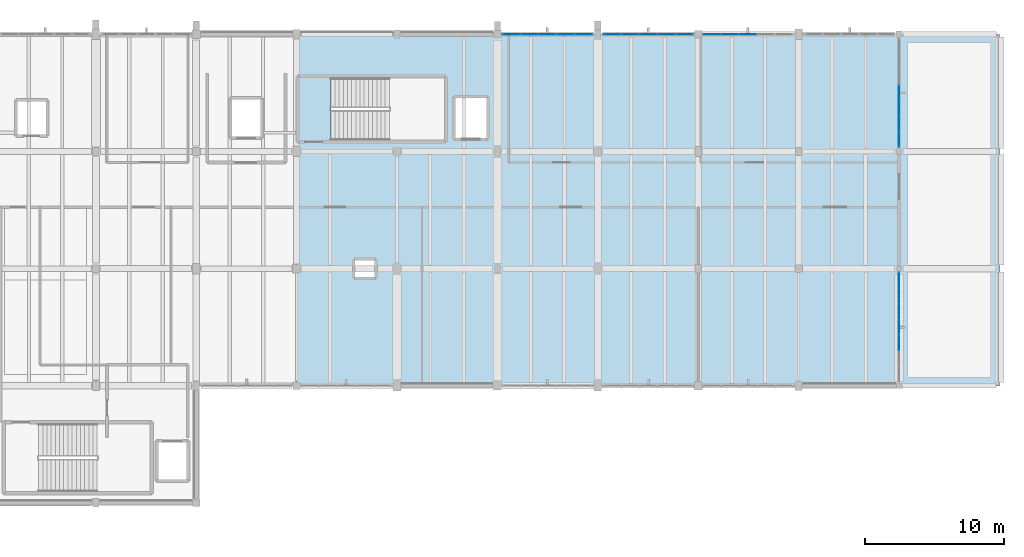
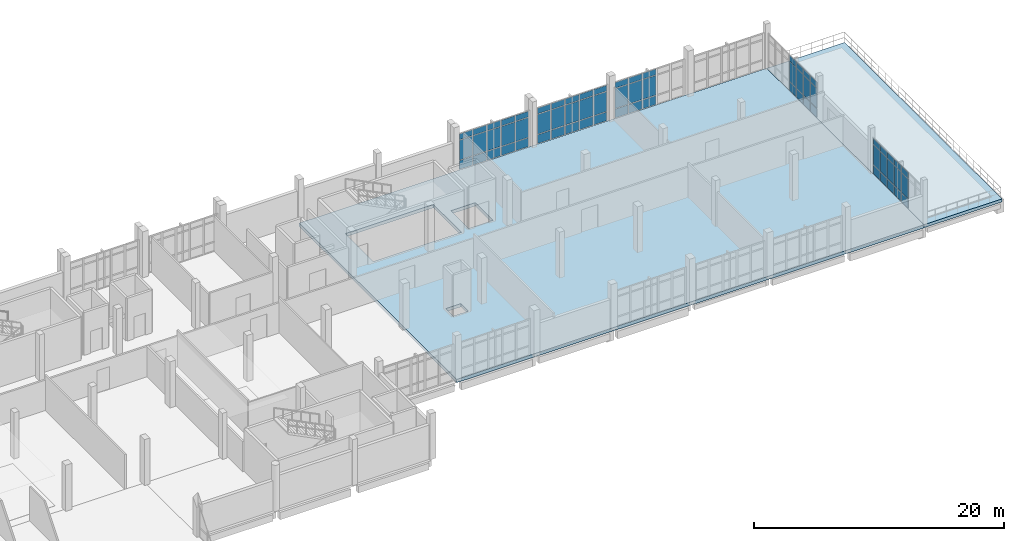
# One storey, part 50 of 62: 66 plates, 2 slabs, 5 elements without a shape of their own.
"""IFC4 building model written with IfcOpenShell, lengths in metres."""

from ifc_helpers import new_model, si_unit, direction, frame, origin, origin_2d, place, context, subcontext, project, spatial, polyline, rectangle, outline, extrude, material, layer, layer_set, type_object, element, aggregate, save


model = new_model("IFC4")

# Units and contexts
model_context = context("Model", 3, precision=1e-05, world=origin(), true_north=direction((0.0, 1.0)))
body_context = subcontext(model_context, "Body", "Model", "MODEL_VIEW")
ifc_project = project(units=[si_unit("LENGTHUNIT", "METRE"), si_unit("AREAUNIT", "SQUARE_METRE"), si_unit("VOLUMEUNIT", "CUBIC_METRE"), si_unit("PLANEANGLEUNIT", "RADIAN"), si_unit("MASSUNIT", "GRAM", prefix="KILO")], contexts=[model_context])

# Site, building, storey
site_placement = place(None, origin())
site = spatial("IfcSite", under=ifc_project, at=site_placement, CompositionType="ELEMENT")
building_placement = place(site_placement, origin())
building = spatial("IfcBuilding", under=site, at=building_placement, Name="Kalluvel Institute of Natural Sciences", CompositionType="ELEMENT")
storey_placement = place(building_placement, frame((0.0, 0.0, 27.89990234375)))
storey = spatial("IfcBuildingStorey", under=building, at=storey_placement, Name="L06", CompositionType="ELEMENT", Elevation=27.89990234375)

# Curtain wall, plates
ifc_material_1 = material(Name="Aluminium AW-6063 T6", Category="aluminium")
curtain_wall_type = type_object("IfcCurtainWallType", Name="CW-WET-45", PredefinedType="USERDEFINED", material=ifc_material_1)
curtain_wall_1_placement = place(storey_placement, origin())
curtain_wall_1 = element("IfcCurtainWall", 1, at=curtain_wall_1_placement, inside=storey, type_object=curtain_wall_type, Name="L06 Gothic lancet curtain wall CWA-L06-X791-Y1280", ObjectType="UNITISED LANCET FACADE", PredefinedType="USERDEFINED")
ifc_material_2 = material(Name="Solar-Control Low-E Laminated Glass", Category="glass")
ifc_layer_1 = layer(ifc_material_2, 0.028076171875)
ifc_layer_set_1 = layer_set([ifc_layer_1], Name="Solar-Control Low-E Laminated Glass")
plate_type = type_object("IfcPlateType", Name="CWP-DGU-28", PredefinedType="CURTAIN_PANEL", material=ifc_layer_set_1)
plate_1_placement = place(storey_placement, frame((79.79248046875, 128.0, 0.06005859375), z_axis=(0.0, 0.0, 1.0), x_axis=(1.0, 0.0, 0.0)))
plate_1 = element("IfcPlate", 2, at=plate_1_placement, type_object=plate_type, Name="CW-01 panel 1.1", PredefinedType="CURTAIN_PANEL", context=body_context, shape_type="SweptSolid", body=[
    extrude(rectangle(XDim=1.215087890625, YDim=0.028076171875, at=origin_2d()), origin(), (0.0, 0.0, 1.0), 0.860107421875),
])
plate_2_placement = place(storey_placement, frame((79.79248046875, 128.0, 0.980224609375), z_axis=(0.0, 0.0, 1.0), x_axis=(1.0, 0.0, 0.0)))
plate_2 = element("IfcPlate", 3, at=plate_2_placement, type_object=plate_type, Name="CW-01 panel 1.2", PredefinedType="CURTAIN_PANEL", context=body_context, shape_type="SweptSolid", body=[
    extrude(rectangle(XDim=1.215087890625, YDim=0.028076171875, at=origin_2d()), origin(), (0.0, 0.0, 1.0), 1.919921875),
])
plate_3_placement = place(storey_placement, frame((79.79248046875, 128.0, 2.9599609375), z_axis=(0.0, 0.0, 1.0), x_axis=(1.0, 0.0, 0.0)))
plate_3 = element("IfcPlate", 4, at=plate_3_placement, type_object=plate_type, Name="CW-01 panel 1.3", PredefinedType="CURTAIN_PANEL", context=body_context, shape_type="SweptSolid", body=[
    extrude(rectangle(XDim=1.215087890625, YDim=0.028076171875, at=origin_2d()), origin(), (0.0, 0.0, 1.0), 0.56005859375),
])
plate_4_placement = place(storey_placement, frame((81.08251953125, 128.0, 0.06005859375), z_axis=(0.0, 0.0, 1.0), x_axis=(1.0, 0.0, 0.0)))
plate_4 = element("IfcPlate", 5, at=plate_4_placement, type_object=plate_type, Name="CW-01 panel 2.1", PredefinedType="CURTAIN_PANEL", context=body_context, shape_type="SweptSolid", body=[
    extrude(rectangle(XDim=1.2451171875, YDim=0.028076171875, at=origin_2d()), origin(), (0.0, 0.0, 1.0), 0.860107421875),
])
plate_5_placement = place(storey_placement, frame((81.08251953125, 128.0, 0.980224609375), z_axis=(0.0, 0.0, 1.0), x_axis=(1.0, 0.0, 0.0)))
plate_5 = element("IfcPlate", 6, at=plate_5_placement, type_object=plate_type, Name="CW-01 panel 2.2", PredefinedType="CURTAIN_PANEL", context=body_context, shape_type="SweptSolid", body=[
    extrude(rectangle(XDim=1.2451171875, YDim=0.028076171875, at=origin_2d()), origin(), (0.0, 0.0, 1.0), 1.919921875),
])
plate_6_placement = place(storey_placement, frame((81.08251953125, 128.0, 2.9599609375), z_axis=(0.0, 0.0, 1.0), x_axis=(1.0, 0.0, 0.0)))
plate_6 = element("IfcPlate", 7, at=plate_6_placement, type_object=plate_type, Name="CW-01 panel 2.3", PredefinedType="CURTAIN_PANEL", context=body_context, shape_type="SweptSolid", body=[
    extrude(rectangle(XDim=1.2451171875, YDim=0.028076171875, at=origin_2d()), origin(), (0.0, 0.0, 1.0), 0.56005859375),
])
plate_7_placement = place(storey_placement, frame((82.387451171875, 128.0, 0.06005859375), z_axis=(0.0, 0.0, 1.0), x_axis=(1.0, 0.0, 0.0)))
plate_7 = element("IfcPlate", 8, at=plate_7_placement, type_object=plate_type, Name="CW-01 panel 3.1", PredefinedType="CURTAIN_PANEL", context=body_context, shape_type="SweptSolid", body=[
    extrude(rectangle(XDim=1.2451171875, YDim=0.028076171875, at=origin_2d()), origin(), (0.0, 0.0, 1.0), 0.860107421875),
])
plate_8_placement = place(storey_placement, frame((82.387451171875, 128.0, 0.980224609375), z_axis=(0.0, 0.0, 1.0), x_axis=(1.0, 0.0, 0.0)))
plate_8 = element("IfcPlate", 9, at=plate_8_placement, type_object=plate_type, Name="CW-01 panel 3.2", PredefinedType="CURTAIN_PANEL", context=body_context, shape_type="SweptSolid", body=[
    extrude(rectangle(XDim=1.2451171875, YDim=0.028076171875, at=origin_2d()), origin(), (0.0, 0.0, 1.0), 1.919921875),
])
plate_9_placement = place(storey_placement, frame((82.387451171875, 128.0, 2.9599609375), z_axis=(0.0, 0.0, 1.0), x_axis=(1.0, 0.0, 0.0)))
plate_9 = element("IfcPlate", 10, at=plate_9_placement, type_object=plate_type, Name="CW-01 panel 3.3", PredefinedType="CURTAIN_PANEL", context=body_context, shape_type="SweptSolid", body=[
    extrude(rectangle(XDim=1.2451171875, YDim=0.028076171875, at=origin_2d()), origin(), (0.0, 0.0, 1.0), 0.56005859375),
])
plate_10_placement = place(storey_placement, frame((83.6923828125, 128.0, 0.06005859375), z_axis=(0.0, 0.0, 1.0), x_axis=(1.0, 0.0, 0.0)))
plate_10 = element("IfcPlate", 11, at=plate_10_placement, type_object=plate_type, Name="CW-01 panel 4.1", PredefinedType="CURTAIN_PANEL", context=body_context, shape_type="SweptSolid", body=[
    extrude(rectangle(XDim=1.2451171875, YDim=0.028076171875, at=origin_2d()), origin(), (0.0, 0.0, 1.0), 0.860107421875),
])
plate_11_placement = place(storey_placement, frame((83.6923828125, 128.0, 0.980224609375), z_axis=(0.0, 0.0, 1.0), x_axis=(1.0, 0.0, 0.0)))
plate_11 = element("IfcPlate", 12, at=plate_11_placement, type_object=plate_type, Name="CW-01 panel 4.2", PredefinedType="CURTAIN_PANEL", context=body_context, shape_type="SweptSolid", body=[
    extrude(rectangle(XDim=1.2451171875, YDim=0.028076171875, at=origin_2d()), origin(), (0.0, 0.0, 1.0), 1.919921875),
])
plate_12_placement = place(storey_placement, frame((83.6923828125, 128.0, 2.9599609375), z_axis=(0.0, 0.0, 1.0), x_axis=(1.0, 0.0, 0.0)))
plate_12 = element("IfcPlate", 13, at=plate_12_placement, type_object=plate_type, Name="CW-01 panel 4.3", PredefinedType="CURTAIN_PANEL", context=body_context, shape_type="SweptSolid", body=[
    extrude(rectangle(XDim=1.2451171875, YDim=0.028076171875, at=origin_2d()), origin(), (0.0, 0.0, 1.0), 0.56005859375),
])
plate_13_placement = place(storey_placement, frame((84.982421875, 128.0, 0.06005859375), z_axis=(0.0, 0.0, 1.0), x_axis=(1.0, 0.0, 0.0)))
plate_13 = element("IfcPlate", 14, at=plate_13_placement, type_object=plate_type, Name="CW-01 panel 5.1", PredefinedType="CURTAIN_PANEL", context=body_context, shape_type="SweptSolid", body=[
    extrude(rectangle(XDim=1.215087890625, YDim=0.028076171875, at=origin_2d()), origin(), (0.0, 0.0, 1.0), 0.860107421875),
])
plate_14_placement = place(storey_placement, frame((84.982421875, 128.0, 0.980224609375), z_axis=(0.0, 0.0, 1.0), x_axis=(1.0, 0.0, 0.0)))
plate_14 = element("IfcPlate", 15, at=plate_14_placement, type_object=plate_type, Name="CW-01 panel 5.2", PredefinedType="CURTAIN_PANEL", context=body_context, shape_type="SweptSolid", body=[
    extrude(rectangle(XDim=1.215087890625, YDim=0.028076171875, at=origin_2d()), origin(), (0.0, 0.0, 1.0), 1.919921875),
])
plate_15_placement = place(storey_placement, frame((84.982421875, 128.0, 2.9599609375), z_axis=(0.0, 0.0, 1.0), x_axis=(1.0, 0.0, 0.0)))
plate_15 = element("IfcPlate", 16, at=plate_15_placement, type_object=plate_type, Name="CW-01 panel 5.3", PredefinedType="CURTAIN_PANEL", context=body_context, shape_type="SweptSolid", body=[
    extrude(rectangle(XDim=1.215087890625, YDim=0.028076171875, at=origin_2d()), origin(), (0.0, 0.0, 1.0), 0.56005859375),
])
aggregate(curtain_wall_1, [plate_1, plate_2, plate_3, plate_4, plate_5, plate_6, plate_7, plate_8, plate_9, plate_10, plate_11, plate_12, plate_13, plate_14, plate_15])

curtain_wall_2_placement = place(storey_placement, origin())
curtain_wall_2 = element("IfcCurtainWall", 17, at=curtain_wall_2_placement, inside=storey, type_object=curtain_wall_type, Name="L06 Gothic lancet curtain wall CWA-L06-X864-Y1280", ObjectType="UNITISED LANCET FACADE", PredefinedType="USERDEFINED")
plate_16_placement = place(storey_placement, frame((87.017578125, 128.0, 0.06005859375), z_axis=(0.0, 0.0, 1.0), x_axis=(1.0, 0.0, 0.0)))
plate_16 = element("IfcPlate", 18, at=plate_16_placement, type_object=plate_type, Name="CW-01 panel 1.1", PredefinedType="CURTAIN_PANEL", context=body_context, shape_type="SweptSolid", body=[
    extrude(rectangle(XDim=1.215087890625, YDim=0.028076171875, at=origin_2d()), origin(), (0.0, 0.0, 1.0), 0.860107421875),
])
plate_17_placement = place(storey_placement, frame((87.017578125, 128.0, 0.980224609375), z_axis=(0.0, 0.0, 1.0), x_axis=(1.0, 0.0, 0.0)))
plate_17 = element("IfcPlate", 19, at=plate_17_placement, type_object=plate_type, Name="CW-01 panel 1.2", PredefinedType="CURTAIN_PANEL", context=body_context, shape_type="SweptSolid", body=[
    extrude(rectangle(XDim=1.215087890625, YDim=0.028076171875, at=origin_2d()), origin(), (0.0, 0.0, 1.0), 1.919921875),
])
plate_18_placement = place(storey_placement, frame((87.017578125, 128.0, 2.9599609375), z_axis=(0.0, 0.0, 1.0), x_axis=(1.0, 0.0, 0.0)))
plate_18 = element("IfcPlate", 20, at=plate_18_placement, type_object=plate_type, Name="CW-01 panel 1.3", PredefinedType="CURTAIN_PANEL", context=body_context, shape_type="SweptSolid", body=[
    extrude(rectangle(XDim=1.215087890625, YDim=0.028076171875, at=origin_2d()), origin(), (0.0, 0.0, 1.0), 0.56005859375),
])
plate_19_placement = place(storey_placement, frame((88.3076171875, 128.0, 0.06005859375), z_axis=(0.0, 0.0, 1.0), x_axis=(1.0, 0.0, 0.0)))
plate_19 = element("IfcPlate", 21, at=plate_19_placement, type_object=plate_type, Name="CW-01 panel 2.1", PredefinedType="CURTAIN_PANEL", context=body_context, shape_type="SweptSolid", body=[
    extrude(rectangle(XDim=1.2451171875, YDim=0.028076171875, at=origin_2d()), origin(), (0.0, 0.0, 1.0), 0.860107421875),
])
plate_20_placement = place(storey_placement, frame((88.3076171875, 128.0, 0.980224609375), z_axis=(0.0, 0.0, 1.0), x_axis=(1.0, 0.0, 0.0)))
plate_20 = element("IfcPlate", 22, at=plate_20_placement, type_object=plate_type, Name="CW-01 panel 2.2", PredefinedType="CURTAIN_PANEL", context=body_context, shape_type="SweptSolid", body=[
    extrude(rectangle(XDim=1.2451171875, YDim=0.028076171875, at=origin_2d()), origin(), (0.0, 0.0, 1.0), 1.919921875),
])
plate_21_placement = place(storey_placement, frame((88.3076171875, 128.0, 2.9599609375), z_axis=(0.0, 0.0, 1.0), x_axis=(1.0, 0.0, 0.0)))
plate_21 = element("IfcPlate", 23, at=plate_21_placement, type_object=plate_type, Name="CW-01 panel 2.3", PredefinedType="CURTAIN_PANEL", context=body_context, shape_type="SweptSolid", body=[
    extrude(rectangle(XDim=1.2451171875, YDim=0.028076171875, at=origin_2d()), origin(), (0.0, 0.0, 1.0), 0.56005859375),
])
plate_22_placement = place(storey_placement, frame((89.612548828125, 128.0, 0.06005859375), z_axis=(0.0, 0.0, 1.0), x_axis=(1.0, 0.0, 0.0)))
plate_22 = element("IfcPlate", 24, at=plate_22_placement, type_object=plate_type, Name="CW-01 panel 3.1", PredefinedType="CURTAIN_PANEL", context=body_context, shape_type="SweptSolid", body=[
    extrude(rectangle(XDim=1.2451171875, YDim=0.028076171875, at=origin_2d()), origin(), (0.0, 0.0, 1.0), 0.860107421875),
])
plate_23_placement = place(storey_placement, frame((89.612548828125, 128.0, 0.980224609375), z_axis=(0.0, 0.0, 1.0), x_axis=(1.0, 0.0, 0.0)))
plate_23 = element("IfcPlate", 25, at=plate_23_placement, type_object=plate_type, Name="CW-01 panel 3.2", PredefinedType="CURTAIN_PANEL", context=body_context, shape_type="SweptSolid", body=[
    extrude(rectangle(XDim=1.2451171875, YDim=0.028076171875, at=origin_2d()), origin(), (0.0, 0.0, 1.0), 1.919921875),
])
plate_24_placement = place(storey_placement, frame((89.612548828125, 128.0, 2.9599609375), z_axis=(0.0, 0.0, 1.0), x_axis=(1.0, 0.0, 0.0)))
plate_24 = element("IfcPlate", 26, at=plate_24_placement, type_object=plate_type, Name="CW-01 panel 3.3", PredefinedType="CURTAIN_PANEL", context=body_context, shape_type="SweptSolid", body=[
    extrude(rectangle(XDim=1.2451171875, YDim=0.028076171875, at=origin_2d()), origin(), (0.0, 0.0, 1.0), 0.56005859375),
])
plate_25_placement = place(storey_placement, frame((90.91748046875, 128.0, 0.06005859375), z_axis=(0.0, 0.0, 1.0), x_axis=(1.0, 0.0, 0.0)))
plate_25 = element("IfcPlate", 27, at=plate_25_placement, type_object=plate_type, Name="CW-01 panel 4.1", PredefinedType="CURTAIN_PANEL", context=body_context, shape_type="SweptSolid", body=[
    extrude(rectangle(XDim=1.2451171875, YDim=0.028076171875, at=origin_2d()), origin(), (0.0, 0.0, 1.0), 0.860107421875),
])
plate_26_placement = place(storey_placement, frame((90.91748046875, 128.0, 0.980224609375), z_axis=(0.0, 0.0, 1.0), x_axis=(1.0, 0.0, 0.0)))
plate_26 = element("IfcPlate", 28, at=plate_26_placement, type_object=plate_type, Name="CW-01 panel 4.2", PredefinedType="CURTAIN_PANEL", context=body_context, shape_type="SweptSolid", body=[
    extrude(rectangle(XDim=1.2451171875, YDim=0.028076171875, at=origin_2d()), origin(), (0.0, 0.0, 1.0), 1.919921875),
])
plate_27_placement = place(storey_placement, frame((90.91748046875, 128.0, 2.9599609375), z_axis=(0.0, 0.0, 1.0), x_axis=(1.0, 0.0, 0.0)))
plate_27 = element("IfcPlate", 29, at=plate_27_placement, type_object=plate_type, Name="CW-01 panel 4.3", PredefinedType="CURTAIN_PANEL", context=body_context, shape_type="SweptSolid", body=[
    extrude(rectangle(XDim=1.2451171875, YDim=0.028076171875, at=origin_2d()), origin(), (0.0, 0.0, 1.0), 0.56005859375),
])
plate_28_placement = place(storey_placement, frame((92.20751953125, 128.0, 0.06005859375), z_axis=(0.0, 0.0, 1.0), x_axis=(1.0, 0.0, 0.0)))
plate_28 = element("IfcPlate", 30, at=plate_28_placement, type_object=plate_type, Name="CW-01 panel 5.1", PredefinedType="CURTAIN_PANEL", context=body_context, shape_type="SweptSolid", body=[
    extrude(rectangle(XDim=1.215087890625, YDim=0.028076171875, at=origin_2d()), origin(), (0.0, 0.0, 1.0), 0.860107421875),
])
plate_29_placement = place(storey_placement, frame((92.20751953125, 128.0, 0.980224609375), z_axis=(0.0, 0.0, 1.0), x_axis=(1.0, 0.0, 0.0)))
plate_29 = element("IfcPlate", 31, at=plate_29_placement, type_object=plate_type, Name="CW-01 panel 5.2", PredefinedType="CURTAIN_PANEL", context=body_context, shape_type="SweptSolid", body=[
    extrude(rectangle(XDim=1.215087890625, YDim=0.028076171875, at=origin_2d()), origin(), (0.0, 0.0, 1.0), 1.919921875),
])
plate_30_placement = place(storey_placement, frame((92.20751953125, 128.0, 2.9599609375), z_axis=(0.0, 0.0, 1.0), x_axis=(1.0, 0.0, 0.0)))
plate_30 = element("IfcPlate", 32, at=plate_30_placement, type_object=plate_type, Name="CW-01 panel 5.3", PredefinedType="CURTAIN_PANEL", context=body_context, shape_type="SweptSolid", body=[
    extrude(rectangle(XDim=1.215087890625, YDim=0.028076171875, at=origin_2d()), origin(), (0.0, 0.0, 1.0), 0.56005859375),
])
aggregate(curtain_wall_2, [plate_16, plate_17, plate_18, plate_19, plate_20, plate_21, plate_22, plate_23, plate_24, plate_25, plate_26, plate_27, plate_28, plate_29, plate_30])

curtain_wall_3_placement = place(storey_placement, origin())
curtain_wall_3 = element("IfcCurtainWall", 33, at=curtain_wall_3_placement, inside=storey, type_object=curtain_wall_type, Name="L06 Gothic lancet curtain wall CWA-L06-X935-Y1280", ObjectType="UNITISED LANCET FACADE", PredefinedType="USERDEFINED")
plate_31_placement = place(storey_placement, frame((94.18505859375, 128.0, 0.06005859375), z_axis=(0.0, 0.0, 1.0), x_axis=(1.0, 0.0, 0.0)))
plate_31 = element("IfcPlate", 34, at=plate_31_placement, type_object=plate_type, Name="CW-01 panel 1.1", PredefinedType="CURTAIN_PANEL", context=body_context, shape_type="SweptSolid", body=[
    extrude(rectangle(XDim=1.199951171875, YDim=0.028076171875, at=origin_2d()), origin(), (0.0, 0.0, 1.0), 0.860107421875),
])
plate_32_placement = place(storey_placement, frame((94.18505859375, 128.0, 0.980224609375), z_axis=(0.0, 0.0, 1.0), x_axis=(1.0, 0.0, 0.0)))
plate_32 = element("IfcPlate", 35, at=plate_32_placement, type_object=plate_type, Name="CW-01 panel 1.2", PredefinedType="CURTAIN_PANEL", context=body_context, shape_type="SweptSolid", body=[
    extrude(rectangle(XDim=1.199951171875, YDim=0.028076171875, at=origin_2d()), origin(), (0.0, 0.0, 1.0), 1.919921875),
])
plate_33_placement = place(storey_placement, frame((94.18505859375, 128.0, 2.9599609375), z_axis=(0.0, 0.0, 1.0), x_axis=(1.0, 0.0, 0.0)))
plate_33 = element("IfcPlate", 36, at=plate_33_placement, type_object=plate_type, Name="CW-01 panel 1.3", PredefinedType="CURTAIN_PANEL", context=body_context, shape_type="SweptSolid", body=[
    extrude(rectangle(XDim=1.199951171875, YDim=0.028076171875, at=origin_2d()), origin(), (0.0, 0.0, 1.0), 0.56005859375),
])
plate_34_placement = place(storey_placement, frame((95.4599609375, 128.0, 0.06005859375), z_axis=(0.0, 0.0, 1.0), x_axis=(1.0, 0.0, 0.0)))
plate_34 = element("IfcPlate", 37, at=plate_34_placement, type_object=plate_type, Name="CW-01 panel 2.1", PredefinedType="CURTAIN_PANEL", context=body_context, shape_type="SweptSolid", body=[
    extrude(rectangle(XDim=1.22998046875, YDim=0.028076171875, at=origin_2d()), origin(), (0.0, 0.0, 1.0), 0.860107421875),
])
plate_35_placement = place(storey_placement, frame((95.4599609375, 128.0, 0.980224609375), z_axis=(0.0, 0.0, 1.0), x_axis=(1.0, 0.0, 0.0)))
plate_35 = element("IfcPlate", 38, at=plate_35_placement, type_object=plate_type, Name="CW-01 panel 2.2", PredefinedType="CURTAIN_PANEL", context=body_context, shape_type="SweptSolid", body=[
    extrude(rectangle(XDim=1.22998046875, YDim=0.028076171875, at=origin_2d()), origin(), (0.0, 0.0, 1.0), 1.919921875),
])
plate_36_placement = place(storey_placement, frame((95.4599609375, 128.0, 2.9599609375), z_axis=(0.0, 0.0, 1.0), x_axis=(1.0, 0.0, 0.0)))
plate_36 = element("IfcPlate", 39, at=plate_36_placement, type_object=plate_type, Name="CW-01 panel 2.3", PredefinedType="CURTAIN_PANEL", context=body_context, shape_type="SweptSolid", body=[
    extrude(rectangle(XDim=1.22998046875, YDim=0.028076171875, at=origin_2d()), origin(), (0.0, 0.0, 1.0), 0.56005859375),
])
plate_37_placement = place(storey_placement, frame((96.75, 128.0, 0.06005859375), z_axis=(0.0, 0.0, 1.0), x_axis=(1.0, 0.0, 0.0)))
plate_37 = element("IfcPlate", 40, at=plate_37_placement, type_object=plate_type, Name="CW-01 panel 3.1", PredefinedType="CURTAIN_PANEL", context=body_context, shape_type="SweptSolid", body=[
    extrude(rectangle(XDim=1.22998046875, YDim=0.028076171875, at=origin_2d()), origin(), (0.0, 0.0, 1.0), 0.860107421875),
])
plate_38_placement = place(storey_placement, frame((96.75, 128.0, 0.980224609375), z_axis=(0.0, 0.0, 1.0), x_axis=(1.0, 0.0, 0.0)))
plate_38 = element("IfcPlate", 41, at=plate_38_placement, type_object=plate_type, Name="CW-01 panel 3.2", PredefinedType="CURTAIN_PANEL", context=body_context, shape_type="SweptSolid", body=[
    extrude(rectangle(XDim=1.22998046875, YDim=0.028076171875, at=origin_2d()), origin(), (0.0, 0.0, 1.0), 1.919921875),
])
plate_39_placement = place(storey_placement, frame((96.75, 128.0, 2.9599609375), z_axis=(0.0, 0.0, 1.0), x_axis=(1.0, 0.0, 0.0)))
plate_39 = element("IfcPlate", 42, at=plate_39_placement, type_object=plate_type, Name="CW-01 panel 3.3", PredefinedType="CURTAIN_PANEL", context=body_context, shape_type="SweptSolid", body=[
    extrude(rectangle(XDim=1.22998046875, YDim=0.028076171875, at=origin_2d()), origin(), (0.0, 0.0, 1.0), 0.56005859375),
])
aggregate(curtain_wall_3, [plate_31, plate_32, plate_33, plate_34, plate_35, plate_36, plate_37, plate_38, plate_39])

curtain_wall_4_placement = place(storey_placement, origin())
curtain_wall_4 = element("IfcCurtainWall", 43, at=curtain_wall_4_placement, inside=storey, type_object=curtain_wall_type, Name="L06 Gothic lancet curtain wall CWA-L06-X1076-Y1030", ObjectType="UNITISED LANCET FACADE", PredefinedType="USERDEFINED")
plate_40_placement = place(storey_placement, frame((107.60009765625, 105.871337890625, 0.06005859375), z_axis=(0.0, 0.0, 1.0), x_axis=(0.0, 1.0, 0.0)))
plate_40 = element("IfcPlate", 44, at=plate_40_placement, type_object=plate_type, Name="CW-01 panel 3.1", PredefinedType="CURTAIN_PANEL", context=body_context, shape_type="SweptSolid", body=[
    extrude(rectangle(XDim=1.068603515625, YDim=0.028076171875, at=origin_2d()), origin(), (0.0, 0.0, 1.0), 0.860107421875),
])
plate_41_placement = place(storey_placement, frame((107.60009765625, 105.871337890625, 0.980224609375), z_axis=(0.0, 0.0, 1.0), x_axis=(0.0, 1.0, 0.0)))
plate_41 = element("IfcPlate", 45, at=plate_41_placement, type_object=plate_type, Name="CW-01 panel 3.2", PredefinedType="CURTAIN_PANEL", context=body_context, shape_type="SweptSolid", body=[
    extrude(rectangle(XDim=1.068603515625, YDim=0.028076171875, at=origin_2d()), origin(), (0.0, 0.0, 1.0), 1.919921875),
])
plate_42_placement = place(storey_placement, frame((107.60009765625, 105.871337890625, 2.9599609375), z_axis=(0.0, 0.0, 1.0), x_axis=(0.0, 1.0, 0.0)))
plate_42 = element("IfcPlate", 46, at=plate_42_placement, type_object=plate_type, Name="CW-01 panel 3.3", PredefinedType="CURTAIN_PANEL", context=body_context, shape_type="SweptSolid", body=[
    extrude(rectangle(XDim=1.068603515625, YDim=0.028076171875, at=origin_2d()), origin(), (0.0, 0.0, 1.0), 0.56005859375),
])
plate_43_placement = place(storey_placement, frame((107.60009765625, 107.0, 0.06005859375), z_axis=(0.0, 0.0, 1.0), x_axis=(0.0, 1.0, 0.0)))
plate_43 = element("IfcPlate", 47, at=plate_43_placement, type_object=plate_type, Name="CW-01 panel 4.1", PredefinedType="CURTAIN_PANEL", context=body_context, shape_type="SweptSolid", body=[
    extrude(rectangle(XDim=1.068603515625, YDim=0.028076171875, at=origin_2d()), origin(), (0.0, 0.0, 1.0), 0.860107421875),
])
plate_44_placement = place(storey_placement, frame((107.60009765625, 107.0, 0.980224609375), z_axis=(0.0, 0.0, 1.0), x_axis=(0.0, 1.0, 0.0)))
plate_44 = element("IfcPlate", 48, at=plate_44_placement, type_object=plate_type, Name="CW-01 panel 4.2", PredefinedType="CURTAIN_PANEL", context=body_context, shape_type="SweptSolid", body=[
    extrude(rectangle(XDim=1.068603515625, YDim=0.028076171875, at=origin_2d()), origin(), (0.0, 0.0, 1.0), 1.919921875),
])
plate_45_placement = place(storey_placement, frame((107.60009765625, 107.0, 2.9599609375), z_axis=(0.0, 0.0, 1.0), x_axis=(0.0, 1.0, 0.0)))
plate_45 = element("IfcPlate", 49, at=plate_45_placement, type_object=plate_type, Name="CW-01 panel 4.3", PredefinedType="CURTAIN_PANEL", context=body_context, shape_type="SweptSolid", body=[
    extrude(rectangle(XDim=1.068603515625, YDim=0.028076171875, at=origin_2d()), origin(), (0.0, 0.0, 1.0), 0.56005859375),
])
plate_46_placement = place(storey_placement, frame((107.60009765625, 108.128662109375, 0.06005859375), z_axis=(0.0, 0.0, 1.0), x_axis=(0.0, 1.0, 0.0)))
plate_46 = element("IfcPlate", 50, at=plate_46_placement, type_object=plate_type, Name="CW-01 panel 5.1", PredefinedType="CURTAIN_PANEL", context=body_context, shape_type="SweptSolid", body=[
    extrude(rectangle(XDim=1.068603515625, YDim=0.028076171875, at=origin_2d()), origin(), (0.0, 0.0, 1.0), 0.860107421875),
])
plate_47_placement = place(storey_placement, frame((107.60009765625, 108.128662109375, 0.980224609375), z_axis=(0.0, 0.0, 1.0), x_axis=(0.0, 1.0, 0.0)))
plate_47 = element("IfcPlate", 51, at=plate_47_placement, type_object=plate_type, Name="CW-01 panel 5.2", PredefinedType="CURTAIN_PANEL", context=body_context, shape_type="SweptSolid", body=[
    extrude(rectangle(XDim=1.068603515625, YDim=0.028076171875, at=origin_2d()), origin(), (0.0, 0.0, 1.0), 1.919921875),
])
plate_48_placement = place(storey_placement, frame((107.60009765625, 108.128662109375, 2.9599609375), z_axis=(0.0, 0.0, 1.0), x_axis=(0.0, 1.0, 0.0)))
plate_48 = element("IfcPlate", 52, at=plate_48_placement, type_object=plate_type, Name="CW-01 panel 5.3", PredefinedType="CURTAIN_PANEL", context=body_context, shape_type="SweptSolid", body=[
    extrude(rectangle(XDim=1.068603515625, YDim=0.028076171875, at=origin_2d()), origin(), (0.0, 0.0, 1.0), 0.56005859375),
])
plate_49_placement = place(storey_placement, frame((107.60009765625, 109.257080078125, 0.06005859375), z_axis=(0.0, 0.0, 1.0), x_axis=(0.0, 1.0, 0.0)))
plate_49 = element("IfcPlate", 53, at=plate_49_placement, type_object=plate_type, Name="CW-01 panel 6.1", PredefinedType="CURTAIN_PANEL", context=body_context, shape_type="SweptSolid", body=[
    extrude(rectangle(XDim=1.068603515625, YDim=0.028076171875, at=origin_2d()), origin(), (0.0, 0.0, 1.0), 0.860107421875),
])
plate_50_placement = place(storey_placement, frame((107.60009765625, 109.257080078125, 0.980224609375), z_axis=(0.0, 0.0, 1.0), x_axis=(0.0, 1.0, 0.0)))
plate_50 = element("IfcPlate", 54, at=plate_50_placement, type_object=plate_type, Name="CW-01 panel 6.2", PredefinedType="CURTAIN_PANEL", context=body_context, shape_type="SweptSolid", body=[
    extrude(rectangle(XDim=1.068603515625, YDim=0.028076171875, at=origin_2d()), origin(), (0.0, 0.0, 1.0), 1.919921875),
])
plate_51_placement = place(storey_placement, frame((107.60009765625, 109.257080078125, 2.9599609375), z_axis=(0.0, 0.0, 1.0), x_axis=(0.0, 1.0, 0.0)))
plate_51 = element("IfcPlate", 55, at=plate_51_placement, type_object=plate_type, Name="CW-01 panel 6.3", PredefinedType="CURTAIN_PANEL", context=body_context, shape_type="SweptSolid", body=[
    extrude(rectangle(XDim=1.068603515625, YDim=0.028076171875, at=origin_2d()), origin(), (0.0, 0.0, 1.0), 0.56005859375),
])
plate_52_placement = place(storey_placement, frame((107.60009765625, 110.37060546875, 0.06005859375), z_axis=(0.0, 0.0, 1.0), x_axis=(0.0, 1.0, 0.0)))
plate_52 = element("IfcPlate", 56, at=plate_52_placement, type_object=plate_type, Name="CW-01 panel 7.1", PredefinedType="CURTAIN_PANEL", context=body_context, shape_type="SweptSolid", body=[
    extrude(rectangle(XDim=1.03857421875, YDim=0.028076171875, at=origin_2d()), origin(), (0.0, 0.0, 1.0), 0.860107421875),
])
plate_53_placement = place(storey_placement, frame((107.60009765625, 110.37060546875, 0.980224609375), z_axis=(0.0, 0.0, 1.0), x_axis=(0.0, 1.0, 0.0)))
plate_53 = element("IfcPlate", 57, at=plate_53_placement, type_object=plate_type, Name="CW-01 panel 7.2", PredefinedType="CURTAIN_PANEL", context=body_context, shape_type="SweptSolid", body=[
    extrude(rectangle(XDim=1.03857421875, YDim=0.028076171875, at=origin_2d()), origin(), (0.0, 0.0, 1.0), 1.919921875),
])
plate_54_placement = place(storey_placement, frame((107.60009765625, 110.37060546875, 2.9599609375), z_axis=(0.0, 0.0, 1.0), x_axis=(0.0, 1.0, 0.0)))
plate_54 = element("IfcPlate", 58, at=plate_54_placement, type_object=plate_type, Name="CW-01 panel 7.3", PredefinedType="CURTAIN_PANEL", context=body_context, shape_type="SweptSolid", body=[
    extrude(rectangle(XDim=1.03857421875, YDim=0.028076171875, at=origin_2d()), origin(), (0.0, 0.0, 1.0), 0.56005859375),
])
aggregate(curtain_wall_4, [plate_40, plate_41, plate_42, plate_43, plate_44, plate_45, plate_46, plate_47, plate_48, plate_49, plate_50, plate_51, plate_52, plate_53, plate_54])

curtain_wall_5_placement = place(storey_placement, origin())
curtain_wall_5 = element("IfcCurtainWall", 59, at=curtain_wall_5_placement, inside=storey, type_object=curtain_wall_type, Name="L06 Gothic lancet curtain wall CWA-L06-X1076-Y1199", ObjectType="UNITISED LANCET FACADE", PredefinedType="USERDEFINED")
plate_55_placement = place(storey_placement, frame((107.60009765625, 120.45068359375, 0.06005859375), z_axis=(0.0, 0.0, 1.0), x_axis=(0.0, 1.0, 0.0)))
plate_55 = element("IfcPlate", 60, at=plate_55_placement, type_object=plate_type, Name="CW-01 panel 1.1", PredefinedType="CURTAIN_PANEL", context=body_context, shape_type="SweptSolid", body=[
    extrude(rectangle(XDim=1.031494140625, YDim=0.028076171875, at=origin_2d()), origin(), (0.0, 0.0, 1.0), 0.860107421875),
])
plate_56_placement = place(storey_placement, frame((107.60009765625, 120.45068359375, 0.980224609375), z_axis=(0.0, 0.0, 1.0), x_axis=(0.0, 1.0, 0.0)))
plate_56 = element("IfcPlate", 61, at=plate_56_placement, type_object=plate_type, Name="CW-01 panel 1.2", PredefinedType="CURTAIN_PANEL", context=body_context, shape_type="SweptSolid", body=[
    extrude(rectangle(XDim=1.031494140625, YDim=0.028076171875, at=origin_2d()), origin(), (0.0, 0.0, 1.0), 1.919921875),
])
plate_57_placement = place(storey_placement, frame((107.60009765625, 120.45068359375, 2.9599609375), z_axis=(0.0, 0.0, 1.0), x_axis=(0.0, 1.0, 0.0)))
plate_57 = element("IfcPlate", 62, at=plate_57_placement, type_object=plate_type, Name="CW-01 panel 1.3", PredefinedType="CURTAIN_PANEL", context=body_context, shape_type="SweptSolid", body=[
    extrude(rectangle(XDim=1.031494140625, YDim=0.028076171875, at=origin_2d()), origin(), (0.0, 0.0, 1.0), 0.56005859375),
])
plate_58_placement = place(storey_placement, frame((107.60009765625, 121.55712890625, 0.06005859375), z_axis=(0.0, 0.0, 1.0), x_axis=(0.0, 1.0, 0.0)))
plate_58 = element("IfcPlate", 63, at=plate_58_placement, type_object=plate_type, Name="CW-01 panel 2.1", PredefinedType="CURTAIN_PANEL", context=body_context, shape_type="SweptSolid", body=[
    extrude(rectangle(XDim=1.0615234375, YDim=0.028076171875, at=origin_2d()), origin(), (0.0, 0.0, 1.0), 0.860107421875),
])
plate_59_placement = place(storey_placement, frame((107.60009765625, 121.55712890625, 0.980224609375), z_axis=(0.0, 0.0, 1.0), x_axis=(0.0, 1.0, 0.0)))
plate_59 = element("IfcPlate", 64, at=plate_59_placement, type_object=plate_type, Name="CW-01 panel 2.2", PredefinedType="CURTAIN_PANEL", context=body_context, shape_type="SweptSolid", body=[
    extrude(rectangle(XDim=1.0615234375, YDim=0.028076171875, at=origin_2d()), origin(), (0.0, 0.0, 1.0), 1.919921875),
])
plate_60_placement = place(storey_placement, frame((107.60009765625, 121.55712890625, 2.9599609375), z_axis=(0.0, 0.0, 1.0), x_axis=(0.0, 1.0, 0.0)))
plate_60 = element("IfcPlate", 65, at=plate_60_placement, type_object=plate_type, Name="CW-01 panel 2.3", PredefinedType="CURTAIN_PANEL", context=body_context, shape_type="SweptSolid", body=[
    extrude(rectangle(XDim=1.0615234375, YDim=0.028076171875, at=origin_2d()), origin(), (0.0, 0.0, 1.0), 0.56005859375),
])
plate_61_placement = place(storey_placement, frame((107.60009765625, 122.678466796875, 0.06005859375), z_axis=(0.0, 0.0, 1.0), x_axis=(0.0, 1.0, 0.0)))
plate_61 = element("IfcPlate", 66, at=plate_61_placement, type_object=plate_type, Name="CW-01 panel 3.1", PredefinedType="CURTAIN_PANEL", context=body_context, shape_type="SweptSolid", body=[
    extrude(rectangle(XDim=1.0615234375, YDim=0.028076171875, at=origin_2d()), origin(), (0.0, 0.0, 1.0), 0.860107421875),
])
plate_62_placement = place(storey_placement, frame((107.60009765625, 122.678466796875, 0.980224609375), z_axis=(0.0, 0.0, 1.0), x_axis=(0.0, 1.0, 0.0)))
plate_62 = element("IfcPlate", 67, at=plate_62_placement, type_object=plate_type, Name="CW-01 panel 3.2", PredefinedType="CURTAIN_PANEL", context=body_context, shape_type="SweptSolid", body=[
    extrude(rectangle(XDim=1.0615234375, YDim=0.028076171875, at=origin_2d()), origin(), (0.0, 0.0, 1.0), 1.919921875),
])
plate_63_placement = place(storey_placement, frame((107.60009765625, 122.678466796875, 2.9599609375), z_axis=(0.0, 0.0, 1.0), x_axis=(0.0, 1.0, 0.0)))
plate_63 = element("IfcPlate", 68, at=plate_63_placement, type_object=plate_type, Name="CW-01 panel 3.3", PredefinedType="CURTAIN_PANEL", context=body_context, shape_type="SweptSolid", body=[
    extrude(rectangle(XDim=1.0615234375, YDim=0.028076171875, at=origin_2d()), origin(), (0.0, 0.0, 1.0), 0.56005859375),
])
plate_64_placement = place(storey_placement, frame((107.60009765625, 123.800048828125, 0.06005859375), z_axis=(0.0, 0.0, 1.0), x_axis=(0.0, 1.0, 0.0)))
plate_64 = element("IfcPlate", 69, at=plate_64_placement, type_object=plate_type, Name="CW-01 panel 4.1", PredefinedType="CURTAIN_PANEL", context=body_context, shape_type="SweptSolid", body=[
    extrude(rectangle(XDim=1.0615234375, YDim=0.028076171875, at=origin_2d()), origin(), (0.0, 0.0, 1.0), 0.860107421875),
])
plate_65_placement = place(storey_placement, frame((107.60009765625, 123.800048828125, 0.980224609375), z_axis=(0.0, 0.0, 1.0), x_axis=(0.0, 1.0, 0.0)))
plate_65 = element("IfcPlate", 70, at=plate_65_placement, type_object=plate_type, Name="CW-01 panel 4.2", PredefinedType="CURTAIN_PANEL", context=body_context, shape_type="SweptSolid", body=[
    extrude(rectangle(XDim=1.0615234375, YDim=0.028076171875, at=origin_2d()), origin(), (0.0, 0.0, 1.0), 1.919921875),
])
plate_66_placement = place(storey_placement, frame((107.60009765625, 123.800048828125, 2.9599609375), z_axis=(0.0, 0.0, 1.0), x_axis=(0.0, 1.0, 0.0)))
plate_66 = element("IfcPlate", 71, at=plate_66_placement, type_object=plate_type, Name="CW-01 panel 4.3", PredefinedType="CURTAIN_PANEL", context=body_context, shape_type="SweptSolid", body=[
    extrude(rectangle(XDim=1.0615234375, YDim=0.028076171875, at=origin_2d()), origin(), (0.0, 0.0, 1.0), 0.56005859375),
])
aggregate(curtain_wall_5, [plate_55, plate_56, plate_57, plate_58, plate_59, plate_60, plate_61, plate_62, plate_63, plate_64, plate_65, plate_66])

# Slabs
ifc_material_3 = material(Name="Sadarahalli Granite Precast Concrete M45", Category="masonry")
ifc_layer_2 = layer(ifc_material_3, 0.300048828125)
ifc_layer_set_2 = layer_set([ifc_layer_2], Name="Sadarahalli Granite Precast Concrete M45")
slab_type_1 = type_object("IfcSlabType", Name="SLB-TER-300", PredefinedType="FLOOR", material=ifc_layer_set_2)
slab_1_placement = place(storey_placement, frame((0.0, 0.0, -0.2998046875)))
element("IfcSlab", 72, at=slab_1_placement, inside=storey, type_object=slab_type_1, Name="L06 East Wet-Wing Planted Terrace Slab", PredefinedType="FLOOR", context=body_context, shape_type="SweptSolid", body=[
    extrude(outline(polyline([(107.60009765625, 102.800048828125), (114.800048828125, 102.800048828125), (114.800048828125, 128.0), (107.60009765625, 128.0), (107.60009765625, 102.800048828125)])), origin(), (0.0, 0.0, 1.0), 0.2998046875),
])
ifc_material_4 = material(Name="Concrete M40", Category="concrete")
ifc_layer_3 = layer(ifc_material_4, 0.320068359375)
ifc_layer_set_3 = layer_set([ifc_layer_3], Name="Concrete M40")
slab_type_2 = type_object("IfcSlabType", Name="SLB-WET-320", PredefinedType="FLOOR", material=ifc_layer_set_3)
slab_2_placement = place(storey_placement, frame((0.0, 0.0, -0.31982421875)))
element("IfcSlab", 73, at=slab_2_placement, inside=storey, type_object=slab_type_2, Name="L06 Wet Laboratory Waffle Floor Slab E", PredefinedType="FLOOR", context=body_context, shape_type="SweptSolid", body=[
    extrude(outline(polyline([(64.39990234375, 102.800048828125), (107.60009765625, 102.800048828125), (107.60009765625, 128.0), (64.39990234375, 128.0), (64.39990234375, 102.800048828125)]), holes=[polyline([(78.02001953125, 123.419921875), (78.02001953125, 120.580078125), (75.780029296875, 120.580078125), (75.780029296875, 123.419921875), (78.02001953125, 123.419921875)]), polyline([(75.0, 124.8701171875), (75.0, 120.39990234375), (66.867919921875, 120.39990234375), (66.867919921875, 124.8701171875), (75.0, 124.8701171875)]), polyline([(68.60009765625, 111.800048828125), (70.0, 111.800048828125), (70.0, 110.60009765625), (68.60009765625, 110.60009765625), (68.60009765625, 111.800048828125)])]), origin(), (0.0, 0.0, 1.0), 0.31982421875),
])

save(model, "model.ifc")
